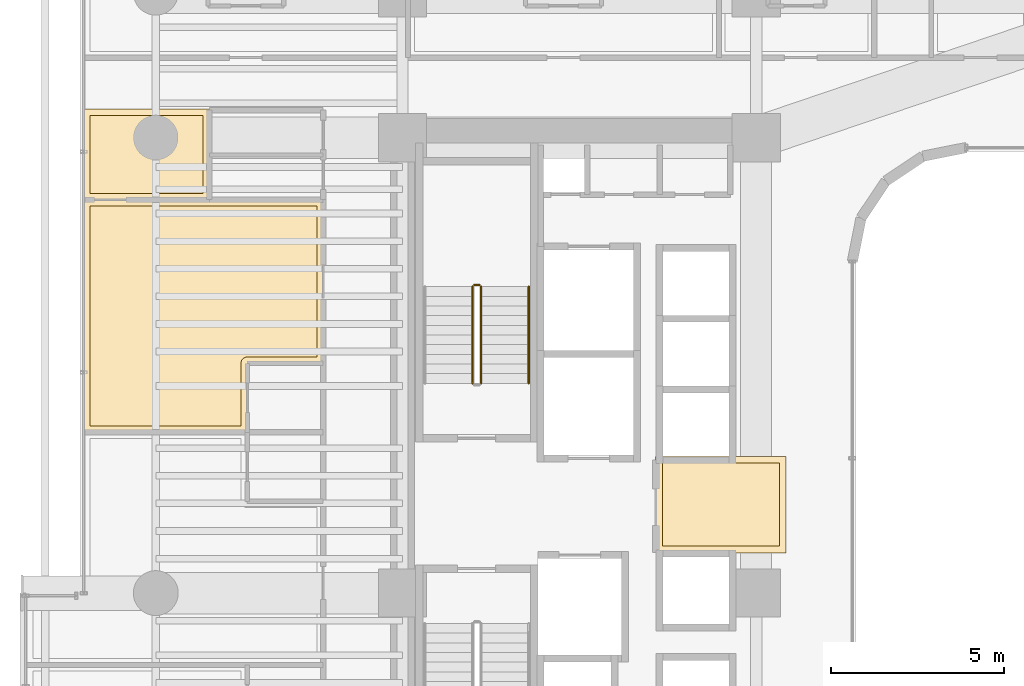
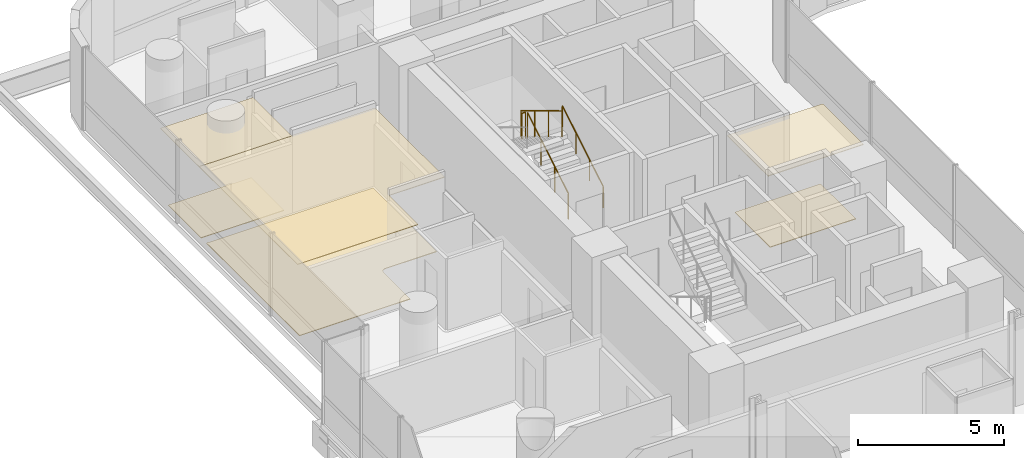
# One storey, part 46 of 50: 6 coverings, 4 railings.
"""IFC4 building model written with IfcOpenShell, lengths in metres."""

from ifc_helpers import new_model, si_unit, direction, frame, origin, origin_2d, place, context, subcontext, project, spatial, polyline, circle, outline, extrude, material, layer, layer_set, type_object, element, save


model = new_model("IFC4")

# Units and contexts
model_context = context("Model", 3, precision=1e-05, world=origin(), true_north=direction((0.0, 1.0)))
body_context = subcontext(model_context, "Body", "Model", "MODEL_VIEW")
ifc_project = project(units=[si_unit("LENGTHUNIT", "METRE"), si_unit("AREAUNIT", "SQUARE_METRE"), si_unit("VOLUMEUNIT", "CUBIC_METRE"), si_unit("PLANEANGLEUNIT", "RADIAN"), si_unit("MASSUNIT", "GRAM", prefix="KILO")], contexts=[model_context])

# Site, building, storey
site_placement = place(None, origin())
site = spatial("IfcSite", under=ifc_project, at=site_placement, CompositionType="ELEMENT")
building_placement = place(site_placement, origin())
building = spatial("IfcBuilding", under=site, at=building_placement, Name="Valdorenza Pilgrim Sanctuary Tower", CompositionType="ELEMENT")
storey_placement = place(building_placement, frame((0.0, 0.0, 26.0)))
storey = spatial("IfcBuildingStorey", under=building, at=storey_placement, Name="L05", CompositionType="ELEMENT", Elevation=26.0)

# Coverings
ifc_material_1 = material(Name="Micro-perforated acoustic mineral ceiling tile", Category="gypsum")
ifc_layer_1 = layer(ifc_material_1, 0.02490234375, Name="Micro-perforated acoustic mineral ceiling tile")
ifc_layer_set_1 = layer_set([ifc_layer_1], Name="Micro-perforated acoustic mineral ceiling tile")
covering_type_1 = type_object("IfcCoveringType", Name="COV-CLG-ACU", PredefinedType="CEILING", material=ifc_layer_set_1)
covering_1_placement = place(storey_placement, frame((0.0, 0.0, 3.159912109375)))
element("IfcCovering", 1, at=covering_1_placement, inside=storey, type_object=covering_type_1, Name="L05 Core A Passenger Lift Lobby Acoustic Ceiling", PredefinedType="CEILING", context=body_context, shape_type="SweptSolid", body=[
    extrude(outline(polyline([(-15.31298828125, 1.244384765625), (-15.31298828125, 1.24462890625), (-15.313720703125, 1.24609375), (-15.314208984375, 1.24755859375), (-15.314697265625, 1.2490234375), (-15.31494140625, 1.25048828125), (-15.31494140625, 1.251953125), (-15.31494140625, 1.35009765625), (-15.31494140625, 1.3515625), (-15.314697265625, 1.352783203125), (-15.314453125, 1.3544921875), (-15.31396484375, 1.355712890625), (-15.313232421875, 1.357177734375), (-15.3125, 1.3583984375), (-15.3115234375, 1.359619140625), (-15.310546875, 1.360595703125), (-15.3095703125, 1.361572265625), (-15.308349609375, 1.362548828125), (-15.30712890625, 1.36328125), (-15.3056640625, 1.364013671875), (-15.304443359375, 1.364501953125), (-15.302978515625, 1.36474609375), (-15.301513671875, 1.364990234375), (-15.300048828125, 1.364990234375), (-15.10205078125, 1.364990234375), (-15.1005859375, 1.364990234375), (-15.09912109375, 1.36474609375), (-15.097412109375, 1.3642578125), (-15.09619140625, 1.36376953125), (-15.0947265625, 1.363037109375), (-15.094482421875, 1.363037109375), (-13.185546875, 1.363037109375), (-13.185302734375, 1.363037109375), (-13.183837890625, 1.36376953125), (-13.1826171875, 1.3642578125), (-13.180908203125, 1.36474609375), (-13.179443359375, 1.364990234375), (-13.177978515625, 1.364990234375), (-11.550048828125, 1.364990234375), (-11.548583984375, 1.364990234375), (-11.547119140625, 1.36474609375), (-11.545654296875, 1.364501953125), (-11.544189453125, 1.364013671875), (-11.54296875, 1.36328125), (-11.541748046875, 1.362548828125), (-11.54052734375, 1.361572265625), (-11.539306640625, 1.360595703125), (-11.538330078125, 1.359619140625), (-11.53759765625, 1.3583984375), (-11.536865234375, 1.357177734375), (-11.5361328125, 1.355712890625), (-11.53564453125, 1.3544921875), (-11.535400390625, 1.352783203125), (-11.53515625, 1.3515625), (-11.534912109375, 1.35009765625), (-11.534912109375, -1.419921875), (-11.53515625, -1.42138671875), (-11.535400390625, -1.4228515625), (-11.53564453125, -1.42431640625), (-11.5361328125, -1.42578125), (-11.536865234375, -1.427001953125), (-11.53759765625, -1.42822265625), (-11.538330078125, -1.429443359375), (-11.539306640625, -1.4306640625), (-11.54052734375, -1.431640625), (-11.541748046875, -1.4326171875), (-11.54296875, -1.43310546875), (-11.544189453125, -1.433837890625), (-11.545654296875, -1.434326171875), (-11.547119140625, -1.434814453125), (-11.548583984375, -1.434814453125), (-11.550048828125, -1.43505859375), (-15.298095703125, -1.43505859375), (-15.299560546875, -1.434814453125), (-15.30078125, -1.434814453125), (-15.302490234375, -1.434326171875), (-15.3037109375, -1.433837890625), (-15.30517578125, -1.43310546875), (-15.306396484375, -1.4326171875), (-15.3076171875, -1.431640625), (-15.30859375, -1.4306640625), (-15.3095703125, -1.429443359375), (-15.310546875, -1.42822265625), (-15.311279296875, -1.427001953125), (-15.31201171875, -1.42578125), (-15.3125, -1.42431640625), (-15.312744140625, -1.4228515625), (-15.31298828125, -1.42138671875), (-15.31298828125, -1.419921875), (-15.31298828125, 1.244384765625)])), origin(), (0.0, 0.0, 1.0), 0.025146484375),
])
covering_2_placement = place(storey_placement, frame((0.0, 0.0, 3.159912109375)))
element("IfcCovering", 2, at=covering_2_placement, inside=storey, type_object=covering_type_1, Name="L05 Pilgrim Scholar Office L05-WN Acoustic Ceiling", PredefinedType="CEILING", context=body_context, shape_type="SweptSolid", body=[
    extrude(outline(polyline([(-28.237060546875, 11.39453125), (-28.237060546875, 10.103759765625), (-28.23681640625, 10.10302734375), (-28.23681640625, 10.1015625), (-28.23681640625, 10.10009765625), (-28.23681640625, 10.098388671875), (-28.237060546875, 10.09814453125), (-28.237060546875, 8.800048828125), (-28.237060546875, 8.798583984375), (-28.2373046875, 8.797119140625), (-28.237548828125, 8.795654296875), (-28.238037109375, 8.794189453125), (-28.23876953125, 8.79296875), (-28.239501953125, 8.791748046875), (-28.240478515625, 8.79052734375), (-28.241455078125, 8.789306640625), (-28.242431640625, 8.788330078125), (-28.24365234375, 8.78759765625), (-28.244873046875, 8.786865234375), (-28.246337890625, 8.7861328125), (-28.24755859375, 8.78564453125), (-28.2490234375, 8.785400390625), (-28.25048828125, 8.78515625), (-28.251953125, 8.784912109375), (-31.889892578125, 8.784912109375), (-31.8916015625, 8.78515625), (-31.892822265625, 8.785400390625), (-31.894287109375, 8.78564453125), (-31.895751953125, 8.7861328125), (-31.897216796875, 8.786865234375), (-31.898193359375, 8.78759765625), (-31.8994140625, 8.788330078125), (-31.900634765625, 8.789306640625), (-31.901611328125, 8.79052734375), (-31.902587890625, 8.791748046875), (-31.9033203125, 8.79296875), (-31.90380859375, 8.794189453125), (-31.904296875, 8.795654296875), (-31.90478515625, 8.797119140625), (-31.90478515625, 8.798583984375), (-31.905029296875, 8.800048828125), (-31.905029296875, 11.419921875), (-31.90478515625, 11.42138671875), (-31.90478515625, 11.4228515625), (-31.904296875, 11.42431640625), (-31.90380859375, 11.42578125), (-31.9033203125, 11.427001953125), (-31.902587890625, 11.42822265625), (-31.901611328125, 11.429443359375), (-31.900634765625, 11.4306640625), (-31.8994140625, 11.431640625), (-31.898193359375, 11.4326171875), (-31.897216796875, 11.43310546875), (-31.895751953125, 11.433837890625), (-31.894287109375, 11.434326171875), (-31.892822265625, 11.434814453125), (-31.8916015625, 11.434814453125), (-31.889892578125, 11.43505859375), (-28.25, 11.43505859375), (-28.24853515625, 11.434814453125), (-28.2470703125, 11.434814453125), (-28.24560546875, 11.434326171875), (-28.244384765625, 11.433837890625), (-28.242919921875, 11.43310546875), (-28.24169921875, 11.4326171875), (-28.240478515625, 11.431640625), (-28.239501953125, 11.4306640625), (-28.23828125, 11.429443359375), (-28.237548828125, 11.42822265625), (-28.23681640625, 11.427001953125), (-28.236083984375, 11.42578125), (-28.235595703125, 11.42431640625), (-28.2353515625, 11.4228515625), (-28.235107421875, 11.42138671875), (-28.235107421875, 11.419921875), (-28.235107421875, 11.402099609375), (-28.235107421875, 11.400390625), (-28.2353515625, 11.39892578125), (-28.235595703125, 11.3974609375), (-28.236083984375, 11.39599609375), (-28.23681640625, 11.394775390625), (-28.237060546875, 11.39453125)])), origin(), (0.0, 0.0, 1.0), 0.025146484375),
])
covering_3_placement = place(storey_placement, frame((0.0, 0.0, 3.159912109375)))
element("IfcCovering", 3, at=covering_3_placement, inside=storey, type_object=covering_type_1, Name="L05 Pilgrim Guest Room L05-W3 Acoustic Ceiling", PredefinedType="CEILING", context=body_context, shape_type="SweptSolid", body=[
    extrude(outline(polyline([(-28.253662109375, 8.81298828125), (-28.253173828125, 8.81298828125), (-28.25146484375, 8.813232421875), (-28.25, 8.813232421875), (-28.24853515625, 8.81298828125), (-28.248291015625, 8.81298828125), (-24.949951171875, 8.81298828125), (-24.948486328125, 8.81298828125), (-24.947021484375, 8.812744140625), (-24.945556640625, 8.8125), (-24.9443359375, 8.81201171875), (-24.94287109375, 8.811279296875), (-24.941650390625, 8.810546875), (-24.9404296875, 8.8095703125), (-24.939453125, 8.80859375), (-24.9384765625, 8.8076171875), (-24.9375, 8.806396484375), (-24.936767578125, 8.80517578125), (-24.93603515625, 8.8037109375), (-24.935546875, 8.802490234375), (-24.935302734375, 8.80078125), (-24.93505859375, 8.799560546875), (-24.93505859375, 8.798095703125), (-24.93505859375, 4.06201171875), (-24.93505859375, 4.060546875), (-24.935302734375, 4.05908203125), (-24.935546875, 4.0576171875), (-24.93603515625, 4.056396484375), (-24.936767578125, 4.054931640625), (-24.9375, 4.0537109375), (-24.9384765625, 4.052490234375), (-24.939453125, 4.051513671875), (-24.9404296875, 4.05029296875), (-24.941650390625, 4.049560546875), (-24.94287109375, 4.048828125), (-24.9443359375, 4.048095703125), (-24.945556640625, 4.047607421875), (-24.947021484375, 4.04736328125), (-24.948486328125, 4.047119140625), (-24.949951171875, 4.047119140625), (-27.136962890625, 4.047119140625), (-27.136962890625, 2.06201171875), (-27.13720703125, 2.060546875), (-27.13720703125, 2.05908203125), (-27.1376953125, 2.0576171875), (-27.13818359375, 2.056396484375), (-27.138916015625, 2.054931640625), (-27.139404296875, 2.0537109375), (-27.140380859375, 2.052490234375), (-27.141357421875, 2.051513671875), (-27.142578125, 2.05029296875), (-27.143798828125, 2.049560546875), (-27.14501953125, 2.048828125), (-27.146240234375, 2.048095703125), (-27.147705078125, 2.047607421875), (-27.149169921875, 2.04736328125), (-27.150390625, 2.047119140625), (-27.152099609375, 2.047119140625), (-31.889892578125, 2.047119140625), (-31.8916015625, 2.047119140625), (-31.892822265625, 2.04736328125), (-31.894287109375, 2.047607421875), (-31.895751953125, 2.048095703125), (-31.897216796875, 2.048828125), (-31.898193359375, 2.049560546875), (-31.8994140625, 2.05029296875), (-31.900634765625, 2.051513671875), (-31.901611328125, 2.052490234375), (-31.902587890625, 2.0537109375), (-31.9033203125, 2.054931640625), (-31.90380859375, 2.056396484375), (-31.904296875, 2.0576171875), (-31.90478515625, 2.05908203125), (-31.90478515625, 2.060546875), (-31.905029296875, 2.06201171875), (-31.905029296875, 8.798095703125), (-31.90478515625, 8.799560546875), (-31.90478515625, 8.80078125), (-31.904296875, 8.802490234375), (-31.90380859375, 8.8037109375), (-31.9033203125, 8.80517578125), (-31.902587890625, 8.806396484375), (-31.901611328125, 8.8076171875), (-31.900634765625, 8.80859375), (-31.8994140625, 8.8095703125), (-31.898193359375, 8.810546875), (-31.897216796875, 8.811279296875), (-31.895751953125, 8.81201171875), (-31.894287109375, 8.8125), (-31.892822265625, 8.812744140625), (-31.8916015625, 8.81298828125), (-31.889892578125, 8.81298828125), (-28.253662109375, 8.81298828125)])), origin(), (0.0, 0.0, 1.0), 0.025146484375),
])
ifc_material_2 = material(Name="Engineered European oak timber flooring", Category="wood")
ifc_layer_2 = layer(ifc_material_2, 0.02197265625, Name="Engineered European oak timber flooring")
ifc_layer_set_2 = layer_set([ifc_layer_2], Name="Engineered European oak timber flooring")
covering_type_2 = type_object("IfcCoveringType", Name="COV-FLR-OAK", PredefinedType="FLOORING", material=ifc_layer_set_2)
covering_4_placement = place(storey_placement, origin())
element("IfcCovering", 4, at=covering_4_placement, inside=storey, type_object=covering_type_2, Name="L05 Pilgrim Guest Room L05-W3 Flooring", PredefinedType="FLOORING", context=body_context, shape_type="SweptSolid", body=[
    extrude(outline(polyline([(-28.250244140625, 8.617919921875), (-28.25, 8.617919921875), (-25.1298828125, 8.617919921875), (-25.1298828125, 4.241943359375), (-27.14990234375, 4.241943359375), (-27.15869140625, 4.24169921875), (-27.158935546875, 4.24169921875), (-27.176513671875, 4.239990234375), (-27.1767578125, 4.239990234375), (-27.194091796875, 4.236572265625), (-27.1943359375, 4.236572265625), (-27.211181640625, 4.2314453125), (-27.21142578125, 4.231201171875), (-27.227783203125, 4.224609375), (-27.227783203125, 4.224609375), (-27.243408203125, 4.21630859375), (-27.24365234375, 4.216064453125), (-27.25830078125, 4.206298828125), (-27.258544921875, 4.2060546875), (-27.272216796875, 4.19482421875), (-27.272216796875, 4.19482421875), (-27.284912109375, 4.182373046875), (-27.284912109375, 4.18212890625), (-27.296142578125, 4.16845703125), (-27.296142578125, 4.168212890625), (-27.30615234375, 4.153564453125), (-27.30615234375, 4.153564453125), (-27.314453125, 4.137939453125), (-27.314697265625, 4.1376953125), (-27.3212890625, 4.121337890625), (-27.3212890625, 4.12109375), (-27.326416015625, 4.104248046875), (-27.32666015625, 4.10400390625), (-27.330078125, 4.0869140625), (-27.330078125, 4.086669921875), (-27.331787109375, 4.069091796875), (-27.331787109375, 4.06884765625), (-27.33203125, 4.06005859375), (-27.33203125, 2.241943359375), (-31.7099609375, 2.241943359375), (-31.7099609375, 8.617919921875), (-28.251953125, 8.617919921875), (-28.2509765625, 8.617919921875), (-28.250244140625, 8.617919921875)])), origin(), (0.0, 0.0, 1.0), 0.02490234375),
])
ifc_material_3 = material(Name="Honed travertine stone flooring", Category="masonry")
ifc_layer_3 = layer(ifc_material_3, 0.030029296875, Name="Honed travertine stone flooring")
ifc_layer_set_3 = layer_set([ifc_layer_3], Name="Honed travertine stone flooring")
covering_type_3 = type_object("IfcCoveringType", Name="COV-FLR-TRV", PredefinedType="FLOORING", material=ifc_layer_set_3)
covering_5_placement = place(storey_placement, origin())
element("IfcCovering", 5, at=covering_5_placement, inside=storey, type_object=covering_type_3, Name="L05 Core A Passenger Lift Lobby Flooring", PredefinedType="FLOORING", context=body_context, shape_type="SweptSolid", body=[
    extrude(outline(polyline([(-15.117919921875, 1.169189453125), (-15.10888671875, 1.168212890625), (-15.10888671875, 1.168212890625), (-15.10009765625, 1.16796875), (-13.179931640625, 1.16796875), (-13.1796875, 1.16796875), (-11.72998046875, 1.169921875), (-11.72998046875, -1.239990234375), (-15.117919921875, -1.239990234375), (-15.117919921875, 1.169189453125)])), origin(), (0.0, 0.0, 1.0), 0.02490234375),
])
covering_6_placement = place(storey_placement, origin())
element("IfcCovering", 6, at=covering_6_placement, inside=storey, type_object=covering_type_3, Name="L05 Pilgrim Scholar Office L05-WN Flooring", PredefinedType="FLOORING", context=body_context, shape_type="SweptSolid", body=[
    extrude(outline(polyline([(-28.431884765625, 11.239990234375), (-28.431884765625, 10.10205078125), (-28.431884765625, 10.10107421875), (-28.431884765625, 10.100341796875), (-28.431884765625, 10.10009765625), (-28.431884765625, 8.97998046875), (-31.7099609375, 8.97998046875), (-31.7099609375, 11.239990234375), (-28.431884765625, 11.239990234375)])), origin(), (0.0, 0.0, 1.0), 0.02490234375),
])

# Railings
ifc_material_4 = material(Name="Stainless steel Grade 316", Category="steel")
railing_type_1 = type_object("IfcRailingType", Name="RLG-GRD-1120", PredefinedType="GUARDRAIL", material=ifc_material_4)
railing_1_placement = place(storey_placement, frame((-20.3701171875, 3.47998046875, 0.168212890625)))
element("IfcRailing", 7, at=railing_1_placement, inside=storey, type_object=railing_type_1, Name="L05 ST-A1 stair guard 1", PredefinedType="GUARDRAIL", context=body_context, shape_type="SweptSolid", body=[
    extrude(circle(Radius=0.02392578125, at=origin_2d()), frame((0.0, 0.0, 1.076171875), z_axis=(0.0, 0.857242210791, 0.514913383045), x_axis=(-1.0, 0.0, 0.0)), (0.0, 0.0, 1.0), 3.266357421875),
    extrude(circle(Radius=0.02099609375, at=origin_2d()), origin(), (0.0, 0.0, 1.0), 1.052001953125),
    extrude(circle(Radius=0.02099609375, at=origin_2d()), frame((0.0, 0.933349609375, 0.560546875)), (0.0, 0.0, 1.0), 1.052001953125),
    extrude(circle(Radius=0.02099609375, at=origin_2d()), frame((0.0, 1.86669921875, 1.121337890625)), (0.0, 0.0, 1.0), 1.052001953125),
    extrude(circle(Radius=0.02099609375, at=origin_2d()), frame((0.0, 2.800048828125, 1.681884765625)), (0.0, 0.0, 1.0), 1.052001953125),
])
railing_2_placement = place(storey_placement, frame((-20.419921875, 6.330078125, 1.85009765625)))
element("IfcRailing", 8, at=railing_2_placement, inside=storey, type_object=railing_type_1, Name="L05 ST-A1 stair guard 2", PredefinedType="GUARDRAIL", context=body_context, shape_type="SweptSolid", body=[
    extrude(circle(Radius=0.02392578125, at=origin_2d()), frame((0.0, 0.0, 1.076171875), z_axis=(-1.0, 0.0, 0.0), x_axis=(0.0, -1.0, 0.0)), (0.0, 0.0, 1.0), 0.150146484375),
    extrude(circle(Radius=0.02099609375, at=origin_2d()), origin(), (0.0, 0.0, 1.0), 1.052001953125),
    extrude(circle(Radius=0.02099609375, at=origin_2d()), frame((-0.150146484375, 0.0, 0.0)), (0.0, 0.0, 1.0), 1.052001953125),
])
railing_3_placement = place(storey_placement, frame((-20.6201171875, 6.280029296875, 2.01806640625)))
element("IfcRailing", 9, at=railing_3_placement, inside=storey, type_object=railing_type_1, Name="L05 ST-A1 stair guard 3", PredefinedType="GUARDRAIL", context=body_context, shape_type="SweptSolid", body=[
    extrude(circle(Radius=0.02392578125, at=origin_2d()), frame((0.0, 0.0, 1.076171875), z_axis=(0.0, -0.857242210791, 0.514913383045), x_axis=(1.0, 0.0, 0.0)), (0.0, 0.0, 1.0), 3.266357421875),
    extrude(circle(Radius=0.02099609375, at=origin_2d()), origin(), (0.0, 0.0, 1.0), 1.052001953125),
    extrude(circle(Radius=0.02099609375, at=origin_2d()), frame((0.0, -0.933349609375, 0.560546875)), (0.0, 0.0, 1.0), 1.052001953125),
    extrude(circle(Radius=0.02099609375, at=origin_2d()), frame((0.0, -1.86669921875, 1.121337890625)), (0.0, 0.0, 1.0), 1.052001953125),
    extrude(circle(Radius=0.02099609375, at=origin_2d()), frame((0.0, -2.800048828125, 1.681884765625)), (0.0, 0.0, 1.0), 1.052001953125),
])
ifc_material_5 = material(Name="Brushed stainless steel Grade 316", Category="steel")
railing_type_2 = type_object("IfcRailingType", Name="RLG-HND-920", PredefinedType="HANDRAIL", material=ifc_material_5)
railing_4_placement = place(storey_placement, frame((-18.989990234375, 3.47998046875, 0.168212890625)))
element("IfcRailing", 10, at=railing_4_placement, inside=storey, type_object=railing_type_2, Name="L05 ST-A1 stair handrail 1", PredefinedType="HANDRAIL", context=body_context, shape_type="SweptSolid", body=[
    extrude(circle(Radius=0.02392578125, at=origin_2d()), frame((0.0, 0.0, 0.8759765625), z_axis=(0.0, 0.857242210791, 0.514913383045), x_axis=(-1.0, 0.0, 0.0)), (0.0, 0.0, 1.0), 3.266357421875),
    extrude(circle(Radius=0.02099609375, at=origin_2d()), origin(), (0.0, 0.0, 1.0), 0.851806640625),
    extrude(circle(Radius=0.02099609375, at=origin_2d()), frame((0.0, 0.933349609375, 0.560546875)), (0.0, 0.0, 1.0), 0.851806640625),
    extrude(circle(Radius=0.02099609375, at=origin_2d()), frame((0.0, 1.86669921875, 1.121337890625)), (0.0, 0.0, 1.0), 0.851806640625),
    extrude(circle(Radius=0.02099609375, at=origin_2d()), frame((0.0, 2.800048828125, 1.681884765625)), (0.0, 0.0, 1.0), 0.851806640625),
])

save(model, "model.ifc")
